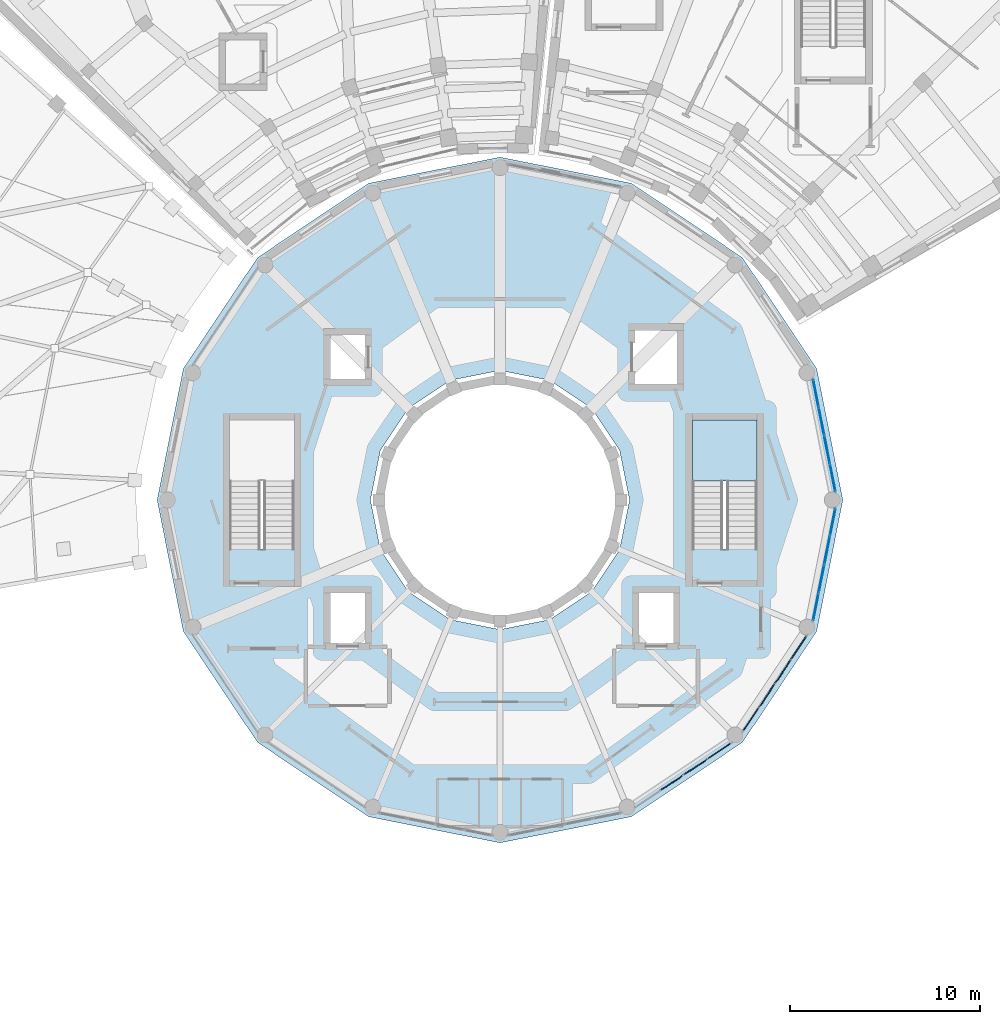
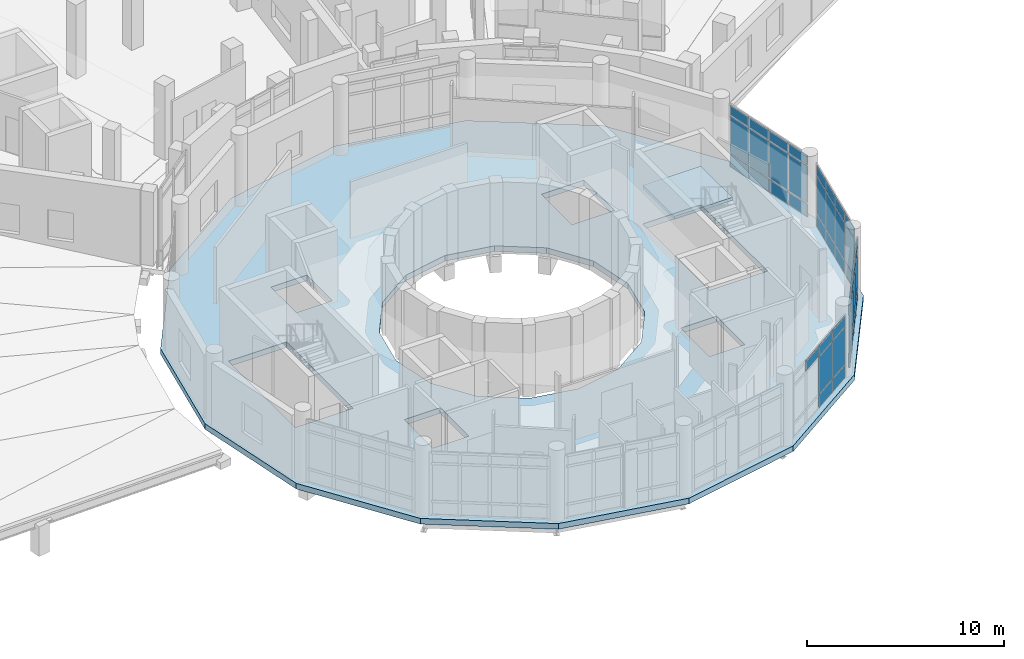
# One storey, part 23 of 49: 43 plates, 2 slabs, 5 elements without a shape of their own.
"""IFC4 building model written with IfcOpenShell, lengths in metres."""

from ifc_helpers import new_model, si_unit, direction, frame, origin, origin_2d, place, context, subcontext, project, spatial, polyline, rectangle, outline, extrude, material, layer, layer_set, type_object, element, aggregate, save


model = new_model("IFC4")

# Units and contexts
model_context = context("Model", 3, precision=1e-05, world=origin(), true_north=direction((0.0, 1.0)))
body_context = subcontext(model_context, "Body", "Model", "MODEL_VIEW")
ifc_project = project(units=[si_unit("LENGTHUNIT", "METRE"), si_unit("AREAUNIT", "SQUARE_METRE"), si_unit("VOLUMEUNIT", "CUBIC_METRE"), si_unit("PLANEANGLEUNIT", "RADIAN"), si_unit("MASSUNIT", "GRAM", prefix="KILO")], contexts=[model_context])

# Site, building, storey
site_placement = place(None, origin())
site = spatial("IfcSite", under=ifc_project, at=site_placement, CompositionType="ELEMENT")
building_placement = place(site_placement, origin())
building = spatial("IfcBuilding", under=site, at=building_placement, Name="Soyqirgoq Riverine Aquarium", CompositionType="ELEMENT")
storey_placement = place(building_placement, frame((0.0, 0.0, 15.0)))
storey = spatial("IfcBuildingStorey", under=building, at=storey_placement, Name="L04", CompositionType="ELEMENT", Elevation=15.0)

# Curtain wall, plates
ifc_material_1 = material(Name="Anodised aluminium thermally broken triple low-E glazing", Category="aluminium")
curtain_wall_type = type_object("IfcCurtainWallType", Name="CW_DrumGallery_Unitised", PredefinedType="NOTDEFINED", material=ifc_material_1)
curtain_wall_1_placement = place(storey_placement, origin())
curtain_wall_1 = element("IfcCurtainWall", 1, at=curtain_wall_1_placement, inside=storey, type_object=curtain_wall_type, Name="V1 L04 Curtain Wall 004", PredefinedType="NOTDEFINED")
ifc_material_2 = material(Name="Triple insulated laminated low-E glass", Category="glass")
ifc_layer_1 = layer(ifc_material_2, 0.0458984375)
ifc_layer_set_1 = layer_set([ifc_layer_1], Name="Triple insulated laminated low-E glass")
plate_type = type_object("IfcPlateType", Name="CWGlazedPanel_46", PredefinedType="CURTAIN_PANEL", material=ifc_layer_set_1)
plate_1_placement = place(storey_placement, frame((73.467041015625, 58.171630859375, 0.074951171875), z_axis=(0.0, 0.0, 1.0), x_axis=(-0.195101560405, 0.980783044882, 0.0)))
plate_1 = element("IfcPlate", 2, at=plate_1_placement, type_object=plate_type, Name="CW-01 panel 1.1", PredefinedType="CURTAIN_PANEL", context=body_context, shape_type="SweptSolid", body=[
    extrude(rectangle(XDim=1.4189453125, YDim=0.0458984375, at=origin_2d()), origin(), (0.0, 0.0, 1.0), 0.78759765625),
])
plate_2_placement = place(storey_placement, frame((73.467041015625, 58.171630859375, 0.9375), z_axis=(0.0, 0.0, 1.0), x_axis=(-0.195101560405, 0.980783044882, 0.0)))
plate_2 = element("IfcPlate", 3, at=plate_2_placement, type_object=plate_type, Name="CW-01 panel 1.2", PredefinedType="CURTAIN_PANEL", context=body_context, shape_type="SweptSolid", body=[
    extrude(rectangle(XDim=1.4189453125, YDim=0.0458984375, at=origin_2d()), origin(), (0.0, 0.0, 1.0), 2.27490234375),
])
plate_3_placement = place(storey_placement, frame((73.467041015625, 58.171630859375, 3.28759765625), z_axis=(0.0, 0.0, 1.0), x_axis=(-0.195101560405, 0.980783044882, 0.0)))
plate_3 = element("IfcPlate", 4, at=plate_3_placement, type_object=plate_type, Name="CW-01 panel 1.3", PredefinedType="CURTAIN_PANEL", context=body_context, shape_type="SweptSolid", body=[
    extrude(rectangle(XDim=1.4189453125, YDim=0.0458984375, at=origin_2d()), origin(), (0.0, 0.0, 1.0), 0.58740234375),
])
plate_4_placement = place(storey_placement, frame((73.17431640625, 59.64306640625, 0.074951171875), z_axis=(0.0, 0.0, 1.0), x_axis=(-0.195101560405, 0.980783044882, 0.0)))
plate_4 = element("IfcPlate", 5, at=plate_4_placement, type_object=plate_type, Name="CW-01 panel 2.1", PredefinedType="CURTAIN_PANEL", context=body_context, shape_type="SweptSolid", body=[
    extrude(rectangle(XDim=1.451416015625, YDim=0.0458984375, at=origin_2d()), origin(), (0.0, 0.0, 1.0), 0.78759765625),
])
plate_5_placement = place(storey_placement, frame((73.17431640625, 59.64306640625, 0.9375), z_axis=(0.0, 0.0, 1.0), x_axis=(-0.195101560405, 0.980783044882, 0.0)))
plate_5 = element("IfcPlate", 6, at=plate_5_placement, type_object=plate_type, Name="CW-01 panel 2.2", PredefinedType="CURTAIN_PANEL", context=body_context, shape_type="SweptSolid", body=[
    extrude(rectangle(XDim=1.451416015625, YDim=0.0458984375, at=origin_2d()), origin(), (0.0, 0.0, 1.0), 2.27490234375),
])
plate_6_placement = place(storey_placement, frame((73.17431640625, 59.64306640625, 3.28759765625), z_axis=(0.0, 0.0, 1.0), x_axis=(-0.195101560405, 0.980783044882, 0.0)))
plate_6 = element("IfcPlate", 7, at=plate_6_placement, type_object=plate_type, Name="CW-01 panel 2.3", PredefinedType="CURTAIN_PANEL", context=body_context, shape_type="SweptSolid", body=[
    extrude(rectangle(XDim=1.451416015625, YDim=0.0458984375, at=origin_2d()), origin(), (0.0, 0.0, 1.0), 0.58740234375),
])
plate_7_placement = place(storey_placement, frame((72.87841796875, 61.13037109375, 0.074951171875), z_axis=(0.0, 0.0, 1.0), x_axis=(-0.195101560405, 0.980783044882, 0.0)))
plate_7 = element("IfcPlate", 8, at=plate_7_placement, type_object=plate_type, Name="CW-01 panel 3.1", PredefinedType="CURTAIN_PANEL", context=body_context, shape_type="SweptSolid", body=[
    extrude(rectangle(XDim=1.451416015625, YDim=0.0458984375, at=origin_2d()), origin(), (0.0, 0.0, 1.0), 0.78759765625),
])
plate_8_placement = place(storey_placement, frame((72.87841796875, 61.13037109375, 0.9375), z_axis=(0.0, 0.0, 1.0), x_axis=(-0.195101560405, 0.980783044882, 0.0)))
plate_8 = element("IfcPlate", 9, at=plate_8_placement, type_object=plate_type, Name="CW-01 panel 3.2", PredefinedType="CURTAIN_PANEL", context=body_context, shape_type="SweptSolid", body=[
    extrude(rectangle(XDim=1.451416015625, YDim=0.0458984375, at=origin_2d()), origin(), (0.0, 0.0, 1.0), 2.27490234375),
])
plate_9_placement = place(storey_placement, frame((72.87841796875, 61.13037109375, 3.28759765625), z_axis=(0.0, 0.0, 1.0), x_axis=(-0.195101560405, 0.980783044882, 0.0)))
plate_9 = element("IfcPlate", 10, at=plate_9_placement, type_object=plate_type, Name="CW-01 panel 3.3", PredefinedType="CURTAIN_PANEL", context=body_context, shape_type="SweptSolid", body=[
    extrude(rectangle(XDim=1.451416015625, YDim=0.0458984375, at=origin_2d()), origin(), (0.0, 0.0, 1.0), 0.58740234375),
])
plate_10_placement = place(storey_placement, frame((72.585693359375, 62.601806640625, 0.074951171875), z_axis=(0.0, 0.0, 1.0), x_axis=(-0.195101560405, 0.980783044882, 0.0)))
plate_10 = element("IfcPlate", 11, at=plate_10_placement, type_object=plate_type, Name="CW-01 panel 4.1", PredefinedType="CURTAIN_PANEL", context=body_context, shape_type="SweptSolid", body=[
    extrude(rectangle(XDim=1.4189453125, YDim=0.0458984375, at=origin_2d()), origin(), (0.0, 0.0, 1.0), 0.78759765625),
])
plate_11_placement = place(storey_placement, frame((72.585693359375, 62.601806640625, 0.9375), z_axis=(0.0, 0.0, 1.0), x_axis=(-0.195101560405, 0.980783044882, 0.0)))
plate_11 = element("IfcPlate", 12, at=plate_11_placement, type_object=plate_type, Name="CW-01 panel 4.2", PredefinedType="CURTAIN_PANEL", context=body_context, shape_type="SweptSolid", body=[
    extrude(rectangle(XDim=1.4189453125, YDim=0.0458984375, at=origin_2d()), origin(), (0.0, 0.0, 1.0), 2.27490234375),
])
plate_12_placement = place(storey_placement, frame((72.585693359375, 62.601806640625, 3.28759765625), z_axis=(0.0, 0.0, 1.0), x_axis=(-0.195101560405, 0.980783044882, 0.0)))
plate_12 = element("IfcPlate", 13, at=plate_12_placement, type_object=plate_type, Name="CW-01 panel 4.3", PredefinedType="CURTAIN_PANEL", context=body_context, shape_type="SweptSolid", body=[
    extrude(rectangle(XDim=1.4189453125, YDim=0.0458984375, at=origin_2d()), origin(), (0.0, 0.0, 1.0), 0.58740234375),
])
aggregate(curtain_wall_1, [plate_1, plate_2, plate_3, plate_4, plate_5, plate_6, plate_7, plate_8, plate_9, plate_10, plate_11, plate_12])

curtain_wall_2_placement = place(storey_placement, origin())
curtain_wall_2 = element("IfcCurtainWall", 14, at=curtain_wall_2_placement, inside=storey, type_object=curtain_wall_type, Name="V1 L04 Curtain Wall 063", PredefinedType="NOTDEFINED")
plate_13_placement = place(storey_placement, frame((65.01416015625, 42.14453125, 3.28759765625), z_axis=(0.0, 0.0, 1.0), x_axis=(0.831463994905, 0.555578639957, 0.0)))
plate_13 = element("IfcPlate", 15, at=plate_13_placement, type_object=plate_type, Name="CW-01 panel 2.3", PredefinedType="CURTAIN_PANEL", context=body_context, shape_type="SweptSolid", body=[
    extrude(rectangle(XDim=1.45166015625, YDim=0.0458984375, at=origin_2d()), origin(), (0.0, 0.0, 1.0), 0.58740234375),
])
plate_14_placement = place(storey_placement, frame((66.275146484375, 42.987060546875, 0.074951171875), z_axis=(0.0, 0.0, 1.0), x_axis=(0.831463994905, 0.555578639957, 0.0)))
plate_14 = element("IfcPlate", 16, at=plate_14_placement, type_object=plate_type, Name="CW-01 panel 3.1", PredefinedType="CURTAIN_PANEL", context=body_context, shape_type="SweptSolid", body=[
    extrude(rectangle(XDim=1.45166015625, YDim=0.0458984375, at=origin_2d()), origin(), (0.0, 0.0, 1.0), 0.78759765625),
])
plate_15_placement = place(storey_placement, frame((66.275146484375, 42.987060546875, 0.9375), z_axis=(0.0, 0.0, 1.0), x_axis=(0.831463994905, 0.555578639957, 0.0)))
plate_15 = element("IfcPlate", 17, at=plate_15_placement, type_object=plate_type, Name="CW-01 panel 3.2", PredefinedType="CURTAIN_PANEL", context=body_context, shape_type="SweptSolid", body=[
    extrude(rectangle(XDim=1.45166015625, YDim=0.0458984375, at=origin_2d()), origin(), (0.0, 0.0, 1.0), 2.27490234375),
])
plate_16_placement = place(storey_placement, frame((66.275146484375, 42.987060546875, 3.28759765625), z_axis=(0.0, 0.0, 1.0), x_axis=(0.831463994905, 0.555578639957, 0.0)))
plate_16 = element("IfcPlate", 18, at=plate_16_placement, type_object=plate_type, Name="CW-01 panel 3.3", PredefinedType="CURTAIN_PANEL", context=body_context, shape_type="SweptSolid", body=[
    extrude(rectangle(XDim=1.45166015625, YDim=0.0458984375, at=origin_2d()), origin(), (0.0, 0.0, 1.0), 0.58740234375),
])
plate_17_placement = place(storey_placement, frame((67.522705078125, 43.820556640625, 0.074951171875), z_axis=(0.0, 0.0, 1.0), x_axis=(0.831463994905, 0.555578639957, 0.0)))
plate_17 = element("IfcPlate", 19, at=plate_17_placement, type_object=plate_type, Name="CW-01 panel 4.1", PredefinedType="CURTAIN_PANEL", context=body_context, shape_type="SweptSolid", body=[
    extrude(rectangle(XDim=1.419189453125, YDim=0.0458984375, at=origin_2d()), origin(), (0.0, 0.0, 1.0), 0.78759765625),
])
plate_18_placement = place(storey_placement, frame((67.522705078125, 43.820556640625, 0.9375), z_axis=(0.0, 0.0, 1.0), x_axis=(0.831463994905, 0.555578639957, 0.0)))
plate_18 = element("IfcPlate", 20, at=plate_18_placement, type_object=plate_type, Name="CW-01 panel 4.2", PredefinedType="CURTAIN_PANEL", context=body_context, shape_type="SweptSolid", body=[
    extrude(rectangle(XDim=1.419189453125, YDim=0.0458984375, at=origin_2d()), origin(), (0.0, 0.0, 1.0), 2.27490234375),
])
plate_19_placement = place(storey_placement, frame((67.522705078125, 43.820556640625, 3.28759765625), z_axis=(0.0, 0.0, 1.0), x_axis=(0.831463994905, 0.555578639957, 0.0)))
plate_19 = element("IfcPlate", 21, at=plate_19_placement, type_object=plate_type, Name="CW-01 panel 4.3", PredefinedType="CURTAIN_PANEL", context=body_context, shape_type="SweptSolid", body=[
    extrude(rectangle(XDim=1.419189453125, YDim=0.0458984375, at=origin_2d()), origin(), (0.0, 0.0, 1.0), 0.58740234375),
])
aggregate(curtain_wall_2, [plate_13, plate_14, plate_15, plate_16, plate_17, plate_18, plate_19])

curtain_wall_3_placement = place(storey_placement, origin())
curtain_wall_3 = element("IfcCurtainWall", 22, at=curtain_wall_3_placement, inside=storey, type_object=curtain_wall_type, Name="V1 L04 Curtain Wall 068", PredefinedType="NOTDEFINED")
plate_20_placement = place(storey_placement, frame((69.179443359375, 45.477294921875, 0.074951171875), z_axis=(0.0, 0.0, 1.0), x_axis=(0.555578639957, 0.831463994905, 0.0)))
plate_20 = element("IfcPlate", 23, at=plate_20_placement, type_object=plate_type, Name="CW-01 panel 1.1", PredefinedType="CURTAIN_PANEL", context=body_context, shape_type="SweptSolid", body=[
    extrude(rectangle(XDim=1.419189453125, YDim=0.0458984375, at=origin_2d()), origin(), (0.0, 0.0, 1.0), 0.78759765625),
])
plate_21_placement = place(storey_placement, frame((69.179443359375, 45.477294921875, 0.9375), z_axis=(0.0, 0.0, 1.0), x_axis=(0.555578639957, 0.831463994905, 0.0)))
plate_21 = element("IfcPlate", 24, at=plate_21_placement, type_object=plate_type, Name="CW-01 panel 1.2", PredefinedType="CURTAIN_PANEL", context=body_context, shape_type="SweptSolid", body=[
    extrude(rectangle(XDim=1.419189453125, YDim=0.0458984375, at=origin_2d()), origin(), (0.0, 0.0, 1.0), 2.27490234375),
])
plate_22_placement = place(storey_placement, frame((69.179443359375, 45.477294921875, 3.28759765625), z_axis=(0.0, 0.0, 1.0), x_axis=(0.555578639957, 0.831463994905, 0.0)))
plate_22 = element("IfcPlate", 25, at=plate_22_placement, type_object=plate_type, Name="CW-01 panel 1.3", PredefinedType="CURTAIN_PANEL", context=body_context, shape_type="SweptSolid", body=[
    extrude(rectangle(XDim=1.419189453125, YDim=0.0458984375, at=origin_2d()), origin(), (0.0, 0.0, 1.0), 0.58740234375),
])
plate_23_placement = place(storey_placement, frame((70.012939453125, 46.724853515625, 0.074951171875), z_axis=(0.0, 0.0, 1.0), x_axis=(0.555578639957, 0.831463994905, 0.0)))
plate_23 = element("IfcPlate", 26, at=plate_23_placement, type_object=plate_type, Name="CW-01 panel 2.1", PredefinedType="CURTAIN_PANEL", context=body_context, shape_type="SweptSolid", body=[
    extrude(rectangle(XDim=1.45166015625, YDim=0.0458984375, at=origin_2d()), origin(), (0.0, 0.0, 1.0), 0.78759765625),
])
plate_24_placement = place(storey_placement, frame((70.012939453125, 46.724853515625, 0.9375), z_axis=(0.0, 0.0, 1.0), x_axis=(0.555578639957, 0.831463994905, 0.0)))
plate_24 = element("IfcPlate", 27, at=plate_24_placement, type_object=plate_type, Name="CW-01 panel 2.2", PredefinedType="CURTAIN_PANEL", context=body_context, shape_type="SweptSolid", body=[
    extrude(rectangle(XDim=1.45166015625, YDim=0.0458984375, at=origin_2d()), origin(), (0.0, 0.0, 1.0), 2.27490234375),
])
plate_25_placement = place(storey_placement, frame((70.012939453125, 46.724853515625, 3.28759765625), z_axis=(0.0, 0.0, 1.0), x_axis=(0.555578639957, 0.831463994905, 0.0)))
plate_25 = element("IfcPlate", 28, at=plate_25_placement, type_object=plate_type, Name="CW-01 panel 2.3", PredefinedType="CURTAIN_PANEL", context=body_context, shape_type="SweptSolid", body=[
    extrude(rectangle(XDim=1.45166015625, YDim=0.0458984375, at=origin_2d()), origin(), (0.0, 0.0, 1.0), 0.58740234375),
])
plate_26_placement = place(storey_placement, frame((70.85546875, 47.98583984375, 0.074951171875), z_axis=(0.0, 0.0, 1.0), x_axis=(0.555578639957, 0.831463994905, 0.0)))
plate_26 = element("IfcPlate", 29, at=plate_26_placement, type_object=plate_type, Name="CW-01 panel 3.1", PredefinedType="CURTAIN_PANEL", context=body_context, shape_type="SweptSolid", body=[
    extrude(rectangle(XDim=1.45166015625, YDim=0.0458984375, at=origin_2d()), origin(), (0.0, 0.0, 1.0), 0.78759765625),
])
plate_27_placement = place(storey_placement, frame((70.85546875, 47.98583984375, 0.9375), z_axis=(0.0, 0.0, 1.0), x_axis=(0.555578639957, 0.831463994905, 0.0)))
plate_27 = element("IfcPlate", 30, at=plate_27_placement, type_object=plate_type, Name="CW-01 panel 3.2", PredefinedType="CURTAIN_PANEL", context=body_context, shape_type="SweptSolid", body=[
    extrude(rectangle(XDim=1.45166015625, YDim=0.0458984375, at=origin_2d()), origin(), (0.0, 0.0, 1.0), 2.27490234375),
])
plate_28_placement = place(storey_placement, frame((70.85546875, 47.98583984375, 3.28759765625), z_axis=(0.0, 0.0, 1.0), x_axis=(0.555578639957, 0.831463994905, 0.0)))
plate_28 = element("IfcPlate", 31, at=plate_28_placement, type_object=plate_type, Name="CW-01 panel 3.3", PredefinedType="CURTAIN_PANEL", context=body_context, shape_type="SweptSolid", body=[
    extrude(rectangle(XDim=1.45166015625, YDim=0.0458984375, at=origin_2d()), origin(), (0.0, 0.0, 1.0), 0.58740234375),
])
plate_29_placement = place(storey_placement, frame((71.68896484375, 49.2333984375, 0.074951171875), z_axis=(0.0, 0.0, 1.0), x_axis=(0.555578639957, 0.831463994905, 0.0)))
plate_29 = element("IfcPlate", 32, at=plate_29_placement, type_object=plate_type, Name="CW-01 panel 4.1", PredefinedType="CURTAIN_PANEL", context=body_context, shape_type="SweptSolid", body=[
    extrude(rectangle(XDim=1.419189453125, YDim=0.0458984375, at=origin_2d()), origin(), (0.0, 0.0, 1.0), 0.78759765625),
])
plate_30_placement = place(storey_placement, frame((71.68896484375, 49.2333984375, 0.9375), z_axis=(0.0, 0.0, 1.0), x_axis=(0.555578639957, 0.831463994905, 0.0)))
plate_30 = element("IfcPlate", 33, at=plate_30_placement, type_object=plate_type, Name="CW-01 panel 4.2", PredefinedType="CURTAIN_PANEL", context=body_context, shape_type="SweptSolid", body=[
    extrude(rectangle(XDim=1.419189453125, YDim=0.0458984375, at=origin_2d()), origin(), (0.0, 0.0, 1.0), 2.27490234375),
])
plate_31_placement = place(storey_placement, frame((71.68896484375, 49.2333984375, 3.28759765625), z_axis=(0.0, 0.0, 1.0), x_axis=(0.555578639957, 0.831463994905, 0.0)))
plate_31 = element("IfcPlate", 34, at=plate_31_placement, type_object=plate_type, Name="CW-01 panel 4.3", PredefinedType="CURTAIN_PANEL", context=body_context, shape_type="SweptSolid", body=[
    extrude(rectangle(XDim=1.419189453125, YDim=0.0458984375, at=origin_2d()), origin(), (0.0, 0.0, 1.0), 0.58740234375),
])
aggregate(curtain_wall_3, [plate_20, plate_21, plate_22, plate_23, plate_24, plate_25, plate_26, plate_27, plate_28, plate_29, plate_30, plate_31])

curtain_wall_4_placement = place(storey_placement, origin())
curtain_wall_4 = element("IfcCurtainWall", 35, at=curtain_wall_4_placement, inside=storey, type_object=curtain_wall_type, Name="V1 L04 Curtain Wall 075", PredefinedType="NOTDEFINED")
plate_32_placement = place(storey_placement, frame((72.585693359375, 51.398193359375, 0.074951171875), z_axis=(0.0, 0.0, 1.0), x_axis=(0.195101560405, 0.980783044882, 0.0)))
plate_32 = element("IfcPlate", 36, at=plate_32_placement, type_object=plate_type, Name="CW-01 panel 1.1", PredefinedType="CURTAIN_PANEL", context=body_context, shape_type="SweptSolid", body=[
    extrude(rectangle(XDim=1.4189453125, YDim=0.0458984375, at=origin_2d()), origin(), (0.0, 0.0, 1.0), 0.78759765625),
])
plate_33_placement = place(storey_placement, frame((72.585693359375, 51.398193359375, 0.9375), z_axis=(0.0, 0.0, 1.0), x_axis=(0.195101560405, 0.980783044882, 0.0)))
plate_33 = element("IfcPlate", 37, at=plate_33_placement, type_object=plate_type, Name="CW-01 panel 1.2", PredefinedType="CURTAIN_PANEL", context=body_context, shape_type="SweptSolid", body=[
    extrude(rectangle(XDim=1.4189453125, YDim=0.0458984375, at=origin_2d()), origin(), (0.0, 0.0, 1.0), 2.27490234375),
])
plate_34_placement = place(storey_placement, frame((72.585693359375, 51.398193359375, 3.28759765625), z_axis=(0.0, 0.0, 1.0), x_axis=(0.195101560405, 0.980783044882, 0.0)))
plate_34 = element("IfcPlate", 38, at=plate_34_placement, type_object=plate_type, Name="CW-01 panel 1.3", PredefinedType="CURTAIN_PANEL", context=body_context, shape_type="SweptSolid", body=[
    extrude(rectangle(XDim=1.4189453125, YDim=0.0458984375, at=origin_2d()), origin(), (0.0, 0.0, 1.0), 0.58740234375),
])
plate_35_placement = place(storey_placement, frame((72.87841796875, 52.86962890625, 0.074951171875), z_axis=(0.0, 0.0, 1.0), x_axis=(0.195101560405, 0.980783044882, 0.0)))
plate_35 = element("IfcPlate", 39, at=plate_35_placement, type_object=plate_type, Name="CW-01 panel 2.1", PredefinedType="CURTAIN_PANEL", context=body_context, shape_type="SweptSolid", body=[
    extrude(rectangle(XDim=1.451416015625, YDim=0.0458984375, at=origin_2d()), origin(), (0.0, 0.0, 1.0), 0.78759765625),
])
plate_36_placement = place(storey_placement, frame((72.87841796875, 52.86962890625, 0.9375), z_axis=(0.0, 0.0, 1.0), x_axis=(0.195101560405, 0.980783044882, 0.0)))
plate_36 = element("IfcPlate", 40, at=plate_36_placement, type_object=plate_type, Name="CW-01 panel 2.2", PredefinedType="CURTAIN_PANEL", context=body_context, shape_type="SweptSolid", body=[
    extrude(rectangle(XDim=1.451416015625, YDim=0.0458984375, at=origin_2d()), origin(), (0.0, 0.0, 1.0), 2.27490234375),
])
plate_37_placement = place(storey_placement, frame((72.87841796875, 52.86962890625, 3.28759765625), z_axis=(0.0, 0.0, 1.0), x_axis=(0.195101560405, 0.980783044882, 0.0)))
plate_37 = element("IfcPlate", 41, at=plate_37_placement, type_object=plate_type, Name="CW-01 panel 2.3", PredefinedType="CURTAIN_PANEL", context=body_context, shape_type="SweptSolid", body=[
    extrude(rectangle(XDim=1.451416015625, YDim=0.0458984375, at=origin_2d()), origin(), (0.0, 0.0, 1.0), 0.58740234375),
])
plate_38_placement = place(storey_placement, frame((73.17431640625, 54.35693359375, 0.074951171875), z_axis=(0.0, 0.0, 1.0), x_axis=(0.195101560405, 0.980783044882, 0.0)))
plate_38 = element("IfcPlate", 42, at=plate_38_placement, type_object=plate_type, Name="CW-01 panel 3.1", PredefinedType="CURTAIN_PANEL", context=body_context, shape_type="SweptSolid", body=[
    extrude(rectangle(XDim=1.451416015625, YDim=0.0458984375, at=origin_2d()), origin(), (0.0, 0.0, 1.0), 0.78759765625),
])
plate_39_placement = place(storey_placement, frame((73.17431640625, 54.35693359375, 0.9375), z_axis=(0.0, 0.0, 1.0), x_axis=(0.195101560405, 0.980783044882, 0.0)))
plate_39 = element("IfcPlate", 43, at=plate_39_placement, type_object=plate_type, Name="CW-01 panel 3.2", PredefinedType="CURTAIN_PANEL", context=body_context, shape_type="SweptSolid", body=[
    extrude(rectangle(XDim=1.451416015625, YDim=0.0458984375, at=origin_2d()), origin(), (0.0, 0.0, 1.0), 2.27490234375),
])
plate_40_placement = place(storey_placement, frame((73.17431640625, 54.35693359375, 3.28759765625), z_axis=(0.0, 0.0, 1.0), x_axis=(0.195101560405, 0.980783044882, 0.0)))
plate_40 = element("IfcPlate", 44, at=plate_40_placement, type_object=plate_type, Name="CW-01 panel 3.3", PredefinedType="CURTAIN_PANEL", context=body_context, shape_type="SweptSolid", body=[
    extrude(rectangle(XDim=1.451416015625, YDim=0.0458984375, at=origin_2d()), origin(), (0.0, 0.0, 1.0), 0.58740234375),
])
plate_41_placement = place(storey_placement, frame((73.467041015625, 55.828369140625, 0.074951171875), z_axis=(0.0, 0.0, 1.0), x_axis=(0.195101560405, 0.980783044882, 0.0)))
plate_41 = element("IfcPlate", 45, at=plate_41_placement, type_object=plate_type, Name="CW-01 panel 4.1", PredefinedType="CURTAIN_PANEL", context=body_context, shape_type="SweptSolid", body=[
    extrude(rectangle(XDim=1.4189453125, YDim=0.0458984375, at=origin_2d()), origin(), (0.0, 0.0, 1.0), 0.78759765625),
])
plate_42_placement = place(storey_placement, frame((73.467041015625, 55.828369140625, 0.9375), z_axis=(0.0, 0.0, 1.0), x_axis=(0.195101560405, 0.980783044882, 0.0)))
plate_42 = element("IfcPlate", 46, at=plate_42_placement, type_object=plate_type, Name="CW-01 panel 4.2", PredefinedType="CURTAIN_PANEL", context=body_context, shape_type="SweptSolid", body=[
    extrude(rectangle(XDim=1.4189453125, YDim=0.0458984375, at=origin_2d()), origin(), (0.0, 0.0, 1.0), 2.27490234375),
])
plate_43_placement = place(storey_placement, frame((73.467041015625, 55.828369140625, 3.28759765625), z_axis=(0.0, 0.0, 1.0), x_axis=(0.195101560405, 0.980783044882, 0.0)))
plate_43 = element("IfcPlate", 47, at=plate_43_placement, type_object=plate_type, Name="CW-01 panel 4.3", PredefinedType="CURTAIN_PANEL", context=body_context, shape_type="SweptSolid", body=[
    extrude(rectangle(XDim=1.4189453125, YDim=0.0458984375, at=origin_2d()), origin(), (0.0, 0.0, 1.0), 0.58740234375),
])
aggregate(curtain_wall_4, [plate_32, plate_33, plate_34, plate_35, plate_36, plate_37, plate_38, plate_39, plate_40, plate_41, plate_42, plate_43])

# Stair, slab
ifc_material_3 = material(Name="Concrete C35/45", Category="concrete")
stair_type = type_object("IfcStairType", Name="CoreDoglegStair_RC", PredefinedType="HALF_TURN_STAIR", material=ifc_material_3)
stair_placement = place(storey_placement, origin())
stair = element("IfcStair", 48, at=stair_placement, inside=storey, type_object=stair_type, Name="L04 Enclosed Exit Stair ST-1", PredefinedType="HALF_TURN_STAIR")
ifc_material_4 = material(Name="Concrete C35/45", Category="concrete")
ifc_layer_2 = layer(ifc_material_4, 0.199951171875)
ifc_layer_set_2 = layer_set([ifc_layer_2], Name="Concrete C35/45")
slab_type_1 = type_object("IfcSlabType", Name="CoreStairLanding_RC", PredefinedType="LANDING", material=ifc_layer_set_2)
slab_1_placement = place(storey_placement, frame((0.0, 0.0, 2.199951171875)))
slab_1 = element("IfcSlab", 49, at=slab_1_placement, type_object=slab_type_1, Name="ST-1 landing 1", PredefinedType="LANDING", context=body_context, shape_type="SweptSolid", body=[
    extrude(outline(polyline([(69.5, 58.0), (69.5, 61.199951171875), (66.10009765625, 61.199951171875), (66.10009765625, 58.0), (69.5, 58.0)])), origin(), (0.0, 0.0, 1.0), 0.199951171875),
])
aggregate(stair, [slab_1])

# Slab
ifc_material_5 = material(Name="Concrete C40/50", Category="concrete")
ifc_layer_3 = layer(ifc_material_5, 0.35009765625)
ifc_layer_set_3 = layer_set([ifc_layer_3], Name="Concrete C40/50")
slab_type_2 = type_object("IfcSlabType", Name="FloorSlab_350_C40", PredefinedType="FLOOR", material=ifc_layer_set_3)
slab_2_placement = place(storey_placement, frame((0.0, 0.0, -0.35009765625)))
element("IfcSlab", 50, at=slab_2_placement, inside=storey, type_object=slab_type_2, Name="V1 L04 Suspended Floor Slab", PredefinedType="FLOOR", context=body_context, shape_type="SweptSolid", body=[
    extrude(outline(polyline([(74.0, 57.0), (72.6298828125, 63.88818359375), (68.727783203125, 69.727783203125), (62.88818359375, 73.6298828125), (56.0, 75.0), (49.11181640625, 73.6298828125), (43.272216796875, 69.727783203125), (39.3701171875, 63.88818359375), (38.0, 57.0), (39.3701171875, 50.11181640625), (43.272216796875, 44.272216796875), (49.11181640625, 40.3701171875), (56.0, 39.0), (62.88818359375, 40.3701171875), (68.727783203125, 44.272216796875), (72.6298828125, 50.11181640625), (74.0, 57.0)]), holes=[polyline([(69.5, 54.425048828125), (69.5, 61.199951171875), (66.10009765625, 61.199951171875), (66.10009765625, 54.425048828125), (69.5, 54.425048828125)]), polyline([(63.14990234375, 49.35009765625), (65.25, 49.35009765625), (65.25, 52.25), (63.14990234375, 52.25), (63.14990234375, 49.35009765625)]), polyline([(62.949951171875, 62.949951171875), (65.449951171875, 62.949951171875), (65.449951171875, 66.050048828125), (62.949951171875, 66.050048828125), (62.949951171875, 62.949951171875)]), polyline([(45.199951171875, 54.425048828125), (45.199951171875, 61.199951171875), (41.800048828125, 61.199951171875), (41.800048828125, 54.425048828125), (45.199951171875, 54.425048828125)]), polyline([(46.949951171875, 49.35009765625), (49.050048828125, 49.35009765625), (49.050048828125, 52.25), (46.949951171875, 52.25), (46.949951171875, 49.35009765625)]), polyline([(46.949951171875, 63.199951171875), (49.050048828125, 63.199951171875), (49.050048828125, 65.800048828125), (46.949951171875, 65.800048828125), (46.949951171875, 63.199951171875)]), polyline([(62.800048828125, 57.0), (62.282470703125, 59.602294921875), (60.808349609375, 61.808349609375), (58.602294921875, 63.282470703125), (56.0, 63.800048828125), (53.397705078125, 63.282470703125), (51.191650390625, 61.808349609375), (49.717529296875, 59.602294921875), (49.199951171875, 57.0), (49.717529296875, 54.397705078125), (51.191650390625, 52.191650390625), (53.397705078125, 50.717529296875), (56.0, 50.199951171875), (58.602294921875, 50.717529296875), (60.808349609375, 52.191650390625), (62.282470703125, 54.397705078125), (62.800048828125, 57.0)])]), origin(), (0.0, 0.0, 1.0), 0.35009765625),
])

save(model, "model.ifc")
